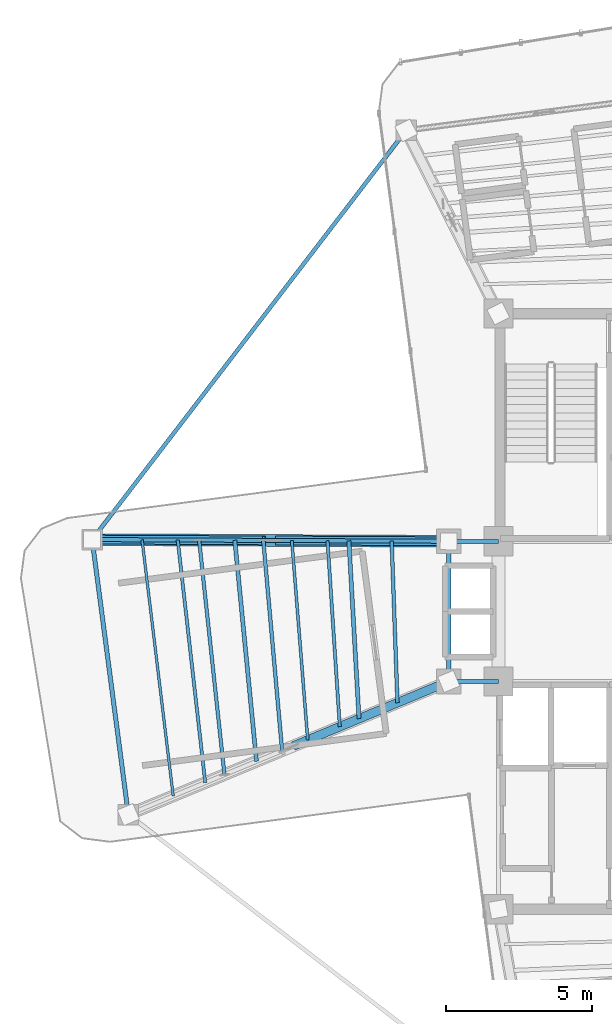
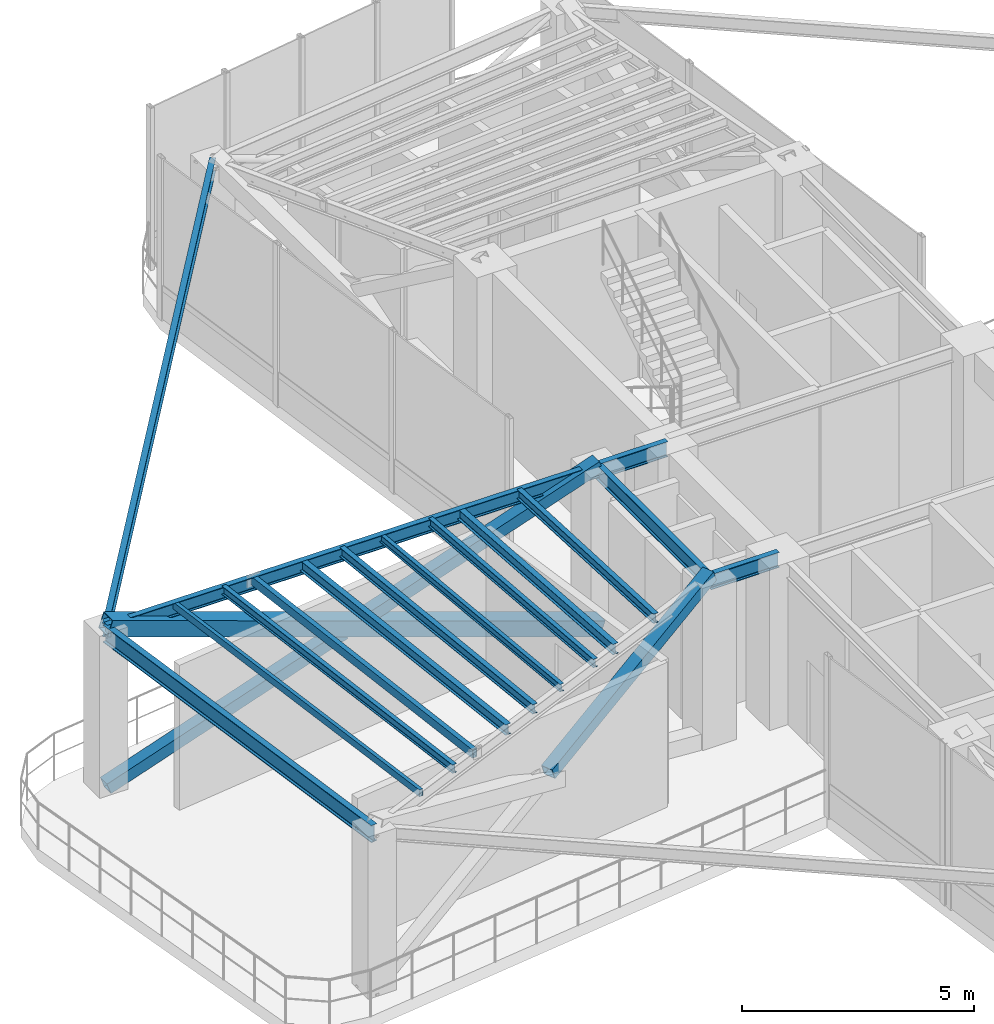
# One storey, part 4 of 17: 15 beams, 4 members.
"""IFC4 building model written with IfcOpenShell, lengths in metres."""

from ifc_helpers import new_model, si_unit, direction, frame, origin, origin_2d, place, context, subcontext, project, spatial, hollow_rectangle, i_section, extrude, source, transform, mapped, material, material_profile, profile_set, type_object, element, save


model = new_model("IFC4")

# Units and contexts
model_context = context("Model", 3, precision=1e-05, world=origin(), true_north=direction((0.0, 1.0)))
body_context = subcontext(model_context, "Body", "Model", "MODEL_VIEW")
ifc_project = project(units=[si_unit("LENGTHUNIT", "METRE"), si_unit("AREAUNIT", "SQUARE_METRE"), si_unit("VOLUMEUNIT", "CUBIC_METRE"), si_unit("PLANEANGLEUNIT", "RADIAN"), si_unit("MASSUNIT", "GRAM", prefix="KILO")], contexts=[model_context])

# Site, building, storey
site_placement = place(None, origin())
site = spatial("IfcSite", under=ifc_project, at=site_placement, CompositionType="ELEMENT")
building_placement = place(site_placement, origin())
building = spatial("IfcBuilding", under=site, at=building_placement, Name="Sahyath Konkavel Grand Hotel", CompositionType="ELEMENT")
storey_placement = place(building_placement, frame((0.0, 0.0, 264.60009765625)))
storey = spatial("IfcBuildingStorey", under=building, at=storey_placement, Name="L74", CompositionType="ELEMENT", Elevation=264.60009765625)

# Beams
ifc_material_1 = material(Name="Steel E350", Category="steel")
ifc_material_profile_1 = material_profile(ifc_material_1, i_section(OverallWidth=0.139892578125, OverallDepth=0.39990234375, WebThickness=0.0087890625, FlangeThickness=0.01611328125, FilletRadius=0.013916015625, at=origin_2d()), Name="ISMB 400")
ifc_profile_set_1 = profile_set([ifc_material_profile_1], Name="Steel E350")
beam_type_1 = type_object("IfcBeamType", Name="BM-ISMB400", PredefinedType="BEAM", material=ifc_profile_set_1)
shared_shape_1 = source(origin(), body_context, "Body", "SweptSolid", [
    extrude(i_section(OverallWidth=0.139892578125, OverallDepth=0.39990234375, WebThickness=0.0087890625, FlangeThickness=0.01611328125, FilletRadius=0.013916015625, at=origin_2d()), origin(), (0.0, 0.0, 1.0), 1.699951171875),
])
for number, where, z_axis, x_axis, name in (
    (1, (-5.5, 2.39990234375, 4.059814453125), (1.0, 0.0, 0.0), (0.0, 1.0, 0.0), "str:bm:L74:HB-NW"),
    (2, (-5.5, -2.39990234375, 4.059814453125), (1.0, 0.0, 0.0), (0.0, 1.0, 0.0), "str:bm:L74:HB-SW"),
):
    element("IfcBeam", number, at=place(storey_placement, frame(where, z_axis=z_axis, x_axis=x_axis)), inside=storey, type_object=beam_type_1, Name=name, PredefinedType="BEAM", context=body_context, shape_type="MappedRepresentation", body=[
        mapped(shared_shape_1, transform((0.0, 0.0, 0.0), scale=1.0)),
    ])
shared_shape_2 = source(origin(), body_context, "Body", "SweptSolid", [
    extrude(i_section(OverallWidth=0.139892578125, OverallDepth=0.39990234375, WebThickness=0.0087890625, FlangeThickness=0.01611328125, FilletRadius=0.013916015625, at=origin_2d()), origin(), (0.0, 0.0, 1.0), 4.7998046875),
])
beam_1_placement = place(storey_placement, frame((-5.5, -2.39990234375, 4.059814453125), z_axis=(0.0, 1.0, 0.0), x_axis=(-1.0, 0.0, 0.0)))
element("IfcBeam", 3, at=beam_1_placement, inside=storey, type_object=beam_type_1, Name="str:bm:L74:HB-W", PredefinedType="BEAM", context=body_context, shape_type="MappedRepresentation", body=[
    mapped(shared_shape_2, transform((0.0, 0.0, 0.0), scale=1.0)),
])
ifc_material_profile_2 = material_profile(ifc_material_1, i_section(OverallWidth=0.139892578125, OverallDepth=0.35009765625, WebThickness=0.008056640625, FlangeThickness=0.01416015625, FilletRadius=0.013916015625, at=origin_2d()), Name="ISMB 350")
ifc_profile_set_2 = profile_set([ifc_material_profile_2], Name="Steel E350")
beam_type_2 = type_object("IfcBeamType", Name="BM-ISMB350", PredefinedType="BEAM", material=ifc_profile_set_2)
shared_shape_3 = source(origin(), body_context, "Body", "SweptSolid", [
    extrude(i_section(OverallWidth=0.139892578125, OverallDepth=0.35009765625, WebThickness=0.008056640625, FlangeThickness=0.01416015625, FilletRadius=0.013916015625, at=origin_2d()), origin(), (0.0, 0.0, 1.0), 12.212646484375),
])
beam_2_placement = place(storey_placement, frame((-5.5, 2.39990234375, 4.0849609375), z_axis=(-0.999988297706, 0.004837814722, 0.0), x_axis=(-0.004837814722, -0.999988297706, 0.0)))
element("IfcBeam", 4, at=beam_2_placement, inside=storey, type_object=beam_type_2, Name="L74 Cruciform Radial Girder WA", PredefinedType="BEAM", context=body_context, shape_type="MappedRepresentation", body=[
    mapped(shared_shape_3, transform((0.0, 0.0, 0.0), scale=1.0)),
])
ifc_material_profile_3 = material_profile(ifc_material_1, i_section(OverallWidth=0.14990234375, OverallDepth=0.449951171875, WebThickness=0.009521484375, FlangeThickness=0.017333984375, FilletRadius=0.014892578125, at=origin_2d()), Name="ISMB 450")
ifc_profile_set_3 = profile_set([ifc_material_profile_3], Name="Steel E350")
beam_type_3 = type_object("IfcBeamType", Name="BM-ISMB450", PredefinedType="BEAM", material=ifc_profile_set_3)
shared_shape_4 = source(origin(), body_context, "Body", "SweptSolid", [
    extrude(i_section(OverallWidth=0.14990234375, OverallDepth=0.449951171875, WebThickness=0.009521484375, FlangeThickness=0.017333984375, FilletRadius=0.014892578125, at=origin_2d()), origin(), (0.0, 0.0, 1.0), 9.5),
])
beam_3_placement = place(storey_placement, frame((-17.71240234375, 2.458984375, 4.034912109375), z_axis=(0.130525643939, -0.991444933556, 0.0), x_axis=(0.991444933556, 0.130525643939, 0.0)))
element("IfcBeam", 5, at=beam_3_placement, inside=storey, type_object=beam_type_3, Name="L74 Wing Tip Edge Beam W", PredefinedType="BEAM", context=body_context, shape_type="MappedRepresentation", body=[
    mapped(shared_shape_4, transform((0.0, 0.0, 0.0), scale=1.0)),
])
shared_shape_5 = source(origin(), body_context, "Body", "SweptSolid", [
    extrude(i_section(OverallWidth=0.139892578125, OverallDepth=0.35009765625, WebThickness=0.008056640625, FlangeThickness=0.01416015625, FilletRadius=0.013916015625, at=origin_2d()), origin(), (0.0, 0.0, 1.0), 17.663330078125),
])
beam_4_placement = place(storey_placement, frame((-6.959716796875, 16.472412109375, 4.0849609375), z_axis=(-0.608754453805, -0.793358692504, 0.0), x_axis=(0.793358692504, -0.608754453805, 0.0)))
element("IfcBeam", 6, at=beam_4_placement, inside=storey, type_object=beam_type_2, Name="L74 Re-Entrant Tie Beam NW", PredefinedType="BEAM", context=body_context, shape_type="MappedRepresentation", body=[
    mapped(shared_shape_5, transform((0.0, 0.0, 0.0), scale=1.0)),
])
ifc_material_profile_4 = material_profile(ifc_material_1, i_section(OverallWidth=0.139892578125, OverallDepth=0.27490234375, WebThickness=0.00634765625, FlangeThickness=0.0087890625, FilletRadius=0.012939453125, at=origin_2d()), Name="ISLB 275")
ifc_profile_set_4 = profile_set([ifc_material_profile_4], Name="Steel E350")
beam_type_4 = type_object("IfcBeamType", Name="BM-ISLB275", PredefinedType="BEAM", material=ifc_profile_set_4)
shared_shape_6 = source(origin(), body_context, "Body", "SweptSolid", [
    extrude(i_section(OverallWidth=0.139892578125, OverallDepth=0.27490234375, WebThickness=0.00634765625, FlangeThickness=0.0087890625, FilletRadius=0.012939453125, at=origin_2d()), origin(), (0.0, 0.0, 1.0), 6.10302734375),
])
beam_5_placement = place(storey_placement, frame((-8.91943359375, 2.41650390625, 4.122314453125), z_axis=(0.056883465537, -0.99838082481, 0.0), x_axis=(0.99838082481, 0.056883465537, 0.0)))
element("IfcBeam", 7, at=beam_5_placement, inside=storey, type_object=beam_type_4, Name="L74 Secondary Floor Beam W-1", PredefinedType="BEAM", context=body_context, shape_type="MappedRepresentation", body=[
    mapped(shared_shape_6, transform((0.0, 0.0, 0.0), scale=1.0)),
])
ifc_material_profile_5 = material_profile(ifc_material_1, i_section(OverallWidth=0.125, OverallDepth=0.25, WebThickness=0.0068359375, FlangeThickness=0.012451171875, FilletRadius=0.012939453125, at=origin_2d()), Name="ISMB 250")
ifc_profile_set_5 = profile_set([ifc_material_profile_5], Name="Steel E350")
beam_type_5 = type_object("IfcBeamType", Name="BM-ISMB250", PredefinedType="BEAM", material=ifc_profile_set_5)
shared_shape_7 = source(origin(), body_context, "Body", "SweptSolid", [
    extrude(i_section(OverallWidth=0.125, OverallDepth=0.25, WebThickness=0.0068359375, FlangeThickness=0.012451171875, FilletRadius=0.012939453125, at=origin_2d()), origin(), (0.0, 0.0, 1.0), 7.23046875),
])
beam_6_placement = place(storey_placement, frame((-11.8505859375, 2.4306640625, 4.135009765625), z_axis=(0.089174799421, -0.996015991412, 0.0), x_axis=(0.996015991412, 0.089174799421, 0.0)))
element("IfcBeam", 8, at=beam_6_placement, inside=storey, type_object=beam_type_5, Name="L74 Secondary Floor Beam W-2", PredefinedType="BEAM", context=body_context, shape_type="MappedRepresentation", body=[
    mapped(shared_shape_7, transform((0.0, 0.0, 0.0), scale=1.0)),
])
ifc_material_profile_6 = material_profile(ifc_material_1, i_section(OverallWidth=0.110107421875, OverallDepth=0.22509765625, WebThickness=0.006591796875, FlangeThickness=0.01171875, FilletRadius=0.011962890625, at=origin_2d()), Name="ISMB 225")
ifc_profile_set_6 = profile_set([ifc_material_profile_6], Name="Steel E350")
beam_type_6 = type_object("IfcBeamType", Name="BM-ISMB225", PredefinedType="BEAM", material=ifc_profile_set_6)
shared_shape_8 = source(origin(), body_context, "Body", "SweptSolid", [
    extrude(i_section(OverallWidth=0.110107421875, OverallDepth=0.22509765625, WebThickness=0.006591796875, FlangeThickness=0.01171875, FilletRadius=0.011962890625, at=origin_2d()), origin(), (0.0, 0.0, 1.0), 8.36328125),
])
beam_7_placement = place(storey_placement, frame((-14.781494140625, 2.44482421875, 4.1474609375), z_axis=(0.112680437677, -0.99363127918, 0.0), x_axis=(0.99363127918, 0.112680437677, 0.0)))
element("IfcBeam", 9, at=beam_7_placement, inside=storey, type_object=beam_type_6, Name="L74 Secondary Floor Beam W-3", PredefinedType="BEAM", context=body_context, shape_type="MappedRepresentation", body=[
    mapped(shared_shape_8, transform((0.0, 0.0, 0.0), scale=1.0)),
])

# Members
ifc_material_2 = material(Name="Steel E450", Category="steel")
ifc_material_profile_7 = material_profile(ifc_material_2, hollow_rectangle(XDim=0.39990234375, YDim=0.39990234375, WallThickness=0.02001953125, at=origin_2d()), Name="SHS 400x400x20")
ifc_profile_set_7 = profile_set([ifc_material_profile_7], Name="Steel E450")
member_type_1 = type_object("IfcMemberType", Name="BR-SHS400", PredefinedType="BRACE", material=ifc_profile_set_7)
shared_shape_9 = source(origin(), body_context, "Body", "SweptSolid", [
    extrude(hollow_rectangle(XDim=0.39990234375, YDim=0.39990234375, WallThickness=0.02001953125, at=origin_2d()), origin(), (0.0, 0.0, 1.0), 12.927734375),
])
member_1_placement = place(storey_placement, frame((-5.5, 2.39990234375, 0.010009765625), z_axis=(-0.944674038813, 0.004570211455, 0.327978769983), x_axis=(-0.004837814722, -0.999988297706, 0.0)))
element("IfcMember", 10, at=member_1_placement, inside=storey, type_object=member_type_1, Name="L74 Core Outrigger Truss WA Continuous Diagonal 1", PredefinedType="BRACE", context=body_context, shape_type="MappedRepresentation", body=[
    mapped(shared_shape_9, transform((0.0, 0.0, 0.0), scale=1.0)),
])
ifc_material_profile_8 = material_profile(ifc_material_2, hollow_rectangle(XDim=0.300048828125, YDim=0.300048828125, WallThickness=0.01611328125, at=origin_2d()), Name="SHS 300x300x16")
ifc_profile_set_8 = profile_set([ifc_material_profile_8], Name="Steel E450")
member_type_2 = type_object("IfcMemberType", Name="BR-SHS300", PredefinedType="BRACE", material=ifc_profile_set_8)
shared_shape_10 = source(origin(), body_context, "Body", "SweptSolid", [
    extrude(hollow_rectangle(XDim=0.300048828125, YDim=0.300048828125, WallThickness=0.01611328125, at=origin_2d()), origin(), (0.0, 0.0, 1.0), 6.2236328125),
])
member_2_placement = place(storey_placement, frame((-17.71240234375, 2.458984375, 0.010009765625), z_axis=(0.944673675245, -0.004550375647, 0.327980092963), x_axis=(0.004816819794, 0.999988399056, 0.0)))
element("IfcMember", 11, at=member_2_placement, inside=storey, type_object=member_type_2, Name="L74 Core Outrigger Truss WA Split Lower Diagonal 2A", PredefinedType="BRACE", context=body_context, shape_type="MappedRepresentation", body=[
    mapped(shared_shape_10, transform((0.0, 0.0, 0.0), scale=1.0)),
])
shared_shape_11 = source(origin(), body_context, "Body", "SweptSolid", [
    extrude(hollow_rectangle(XDim=0.300048828125, YDim=0.300048828125, WallThickness=0.01611328125, at=origin_2d()), origin(), (0.0, 0.0, 1.0), 6.223876953125),
])
member_3_placement = place(storey_placement, frame((-11.37939453125, 2.428466796875, 2.20849609375), z_axis=(0.944661351428, -0.004589543149, 0.328015041136), x_axis=(0.004858343127, 0.999988198181, 0.0)))
element("IfcMember", 12, at=member_3_placement, inside=storey, type_object=member_type_2, Name="L74 Core Outrigger Truss WA Split Upper Diagonal 2B", PredefinedType="BRACE", context=body_context, shape_type="MappedRepresentation", body=[
    mapped(shared_shape_11, transform((0.0, 0.0, 0.0), scale=1.0)),
])
shared_shape_12 = source(origin(), body_context, "Body", "SweptSolid", [
    extrude(hollow_rectangle(XDim=0.300048828125, YDim=0.300048828125, WallThickness=0.01611328125, at=origin_2d()), origin(), (0.0, 0.0, 1.0), 6.068115234375),
])
member_4_placement = place(storey_placement, frame((-10.777587890625, -4.593017578125, 2.210693359375), z_axis=(0.869731045214, 0.361418974842, 0.336071768547), x_axis=(-0.383738601077, 0.923441761046, 0.0)))
element("IfcMember", 13, at=member_4_placement, inside=storey, type_object=member_type_2, Name="L74 Core Outrigger Truss WB Split Upper Diagonal 2B", PredefinedType="BRACE", context=body_context, shape_type="MappedRepresentation", body=[
    mapped(shared_shape_12, transform((0.0, 0.0, 0.0), scale=1.0)),
])

# Beams
shared_shape_13 = source(origin(), body_context, "Body", "SweptSolid", [
    extrude(i_section(OverallWidth=0.125, OverallDepth=0.25, WebThickness=0.0068359375, FlangeThickness=0.012451171875, FilletRadius=0.012939453125, at=origin_2d()), origin(), (0.0, 0.0, 1.0), 5.54248046875),
])
beam_8_placement = place(storey_placement, frame((-7.4541015625, 2.409423828125, 4.135009765625), z_axis=(0.035812512973, -0.999358526213, 0.0), x_axis=(0.999358526213, 0.035812512973, 0.0)))
element("IfcBeam", 14, at=beam_8_placement, inside=storey, type_object=beam_type_5, Name="L74 Composite Deck Sub-Beam W-1", PredefinedType="BEAM", context=body_context, shape_type="MappedRepresentation", body=[
    mapped(shared_shape_13, transform((0.0, 0.0, 0.0), scale=1.0)),
])
shared_shape_14 = source(origin(), body_context, "Body", "SweptSolid", [
    extrude(i_section(OverallWidth=0.110107421875, OverallDepth=0.22509765625, WebThickness=0.006591796875, FlangeThickness=0.01171875, FilletRadius=0.011962890625, at=origin_2d()), origin(), (0.0, 0.0, 1.0), 6.38427734375),
])
beam_9_placement = place(storey_placement, frame((-9.652099609375, 2.420166015625, 4.1474609375), z_axis=(0.066003764972, -0.99781937394, 0.0), x_axis=(0.99781937394, 0.066003764972, 0.0)))
element("IfcBeam", 15, at=beam_9_placement, inside=storey, type_object=beam_type_6, Name="L74 Composite Deck Sub-Beam W-2", PredefinedType="BEAM", context=body_context, shape_type="MappedRepresentation", body=[
    mapped(shared_shape_14, transform((0.0, 0.0, 0.0), scale=1.0)),
])
ifc_material_profile_9 = material_profile(ifc_material_1, i_section(OverallWidth=0.10009765625, OverallDepth=0.199951171875, WebThickness=0.005615234375, FlangeThickness=0.0107421875, FilletRadius=0.010986328125, at=origin_2d()), Name="ISMB 200")
ifc_profile_set_9 = profile_set([ifc_material_profile_9], Name="Steel E350")
beam_type_7 = type_object("IfcBeamType", Name="BM-ISMB200", PredefinedType="BEAM", material=ifc_profile_set_9)
shared_shape_15 = source(origin(), body_context, "Body", "SweptSolid", [
    extrude(i_section(OverallWidth=0.10009765625, OverallDepth=0.199951171875, WebThickness=0.005615234375, FlangeThickness=0.0107421875, FilletRadius=0.010986328125, at=origin_2d()), origin(), (0.0, 0.0, 1.0), 6.85400390625),
])
beam_10_placement = place(storey_placement, frame((-10.87353515625, 2.426025390625, 4.159912109375), z_axis=(0.079610726282, -0.996826029085, 0.0), x_axis=(0.996826029085, 0.079610726282, 0.0)))
element("IfcBeam", 16, at=beam_10_placement, inside=storey, type_object=beam_type_7, Name="L74 Composite Deck Sub-Beam W-3", PredefinedType="BEAM", context=body_context, shape_type="MappedRepresentation", body=[
    mapped(shared_shape_15, transform((0.0, 0.0, 0.0), scale=1.0)),
])
shared_shape_16 = source(origin(), body_context, "Body", "SweptSolid", [
    extrude(i_section(OverallWidth=0.139892578125, OverallDepth=0.27490234375, WebThickness=0.00634765625, FlangeThickness=0.0087890625, FilletRadius=0.012939453125, at=origin_2d()), origin(), (0.0, 0.0, 1.0), 7.607666015625),
])
beam_11_placement = place(storey_placement, frame((-12.827392578125, 2.435546875, 4.122314453125), z_axis=(0.09778145576, -0.995207911398, 0.0), x_axis=(0.995207911398, 0.09778145576, 0.0)))
element("IfcBeam", 17, at=beam_11_placement, inside=storey, type_object=beam_type_4, Name="L74 Composite Deck Sub-Beam W-4", PredefinedType="BEAM", context=body_context, shape_type="MappedRepresentation", body=[
    mapped(shared_shape_16, transform((0.0, 0.0, 0.0), scale=1.0)),
])
ifc_material_profile_10 = material_profile(ifc_material_1, hollow_rectangle(XDim=0.1201171875, YDim=0.219970703125, WallThickness=0.010009765625, at=origin_2d()), Name="RHS 220x120x10")
ifc_profile_set_10 = profile_set([ifc_material_profile_10], Name="Steel E350")
beam_type_8 = type_object("IfcBeamType", Name="BM-RHS220", PredefinedType="BEAM", material=ifc_profile_set_10)
shared_shape_17 = source(origin(), body_context, "Body", "SweptSolid", [
    extrude(hollow_rectangle(XDim=0.1201171875, YDim=0.219970703125, WallThickness=0.010009765625, at=origin_2d()), origin(), (0.0, 0.0, 1.0), 8.079833984375),
])
beam_12_placement = place(storey_placement, frame((-14.048583984375, 2.44140625, 4.14990234375), z_axis=(0.107416459243, -0.994214113903, 0.0), x_axis=(0.994214113903, 0.107416459243, 0.0)))
element("IfcBeam", 18, at=beam_12_placement, inside=storey, type_object=beam_type_8, Name="L74 Composite Deck Sub-Beam W-5", PredefinedType="BEAM", context=body_context, shape_type="MappedRepresentation", body=[
    mapped(shared_shape_17, transform((0.0, 0.0, 0.0), scale=1.0)),
])
ifc_material_profile_11 = material_profile(ifc_material_1, hollow_rectangle(XDim=0.090087890625, YDim=0.179931640625, WallThickness=0.008056640625, at=origin_2d()), Name="RHS 180x90x8")
ifc_profile_set_11 = profile_set([ifc_material_profile_11], Name="Steel E350")
beam_type_9 = type_object("IfcBeamType", Name="BM-RHS180", PredefinedType="BEAM", material=ifc_profile_set_11)
shared_shape_18 = source(origin(), body_context, "Body", "SweptSolid", [
    extrude(hollow_rectangle(XDim=0.090087890625, YDim=0.179931640625, WallThickness=0.008056640625, at=origin_2d()), origin(), (0.0, 0.0, 1.0), 8.836669921875),
])
beam_13_placement = place(storey_placement, frame((-16.002685546875, 2.45068359375, 4.169921875), z_axis=(0.120681204123, -0.992691315048, 0.0), x_axis=(0.992691315048, 0.120681204123, 0.0)))
element("IfcBeam", 19, at=beam_13_placement, inside=storey, type_object=beam_type_9, Name="L74 Composite Deck Sub-Beam W-6", PredefinedType="BEAM", context=body_context, shape_type="MappedRepresentation", body=[
    mapped(shared_shape_18, transform((0.0, 0.0, 0.0), scale=1.0)),
])

save(model, "model.ifc")
